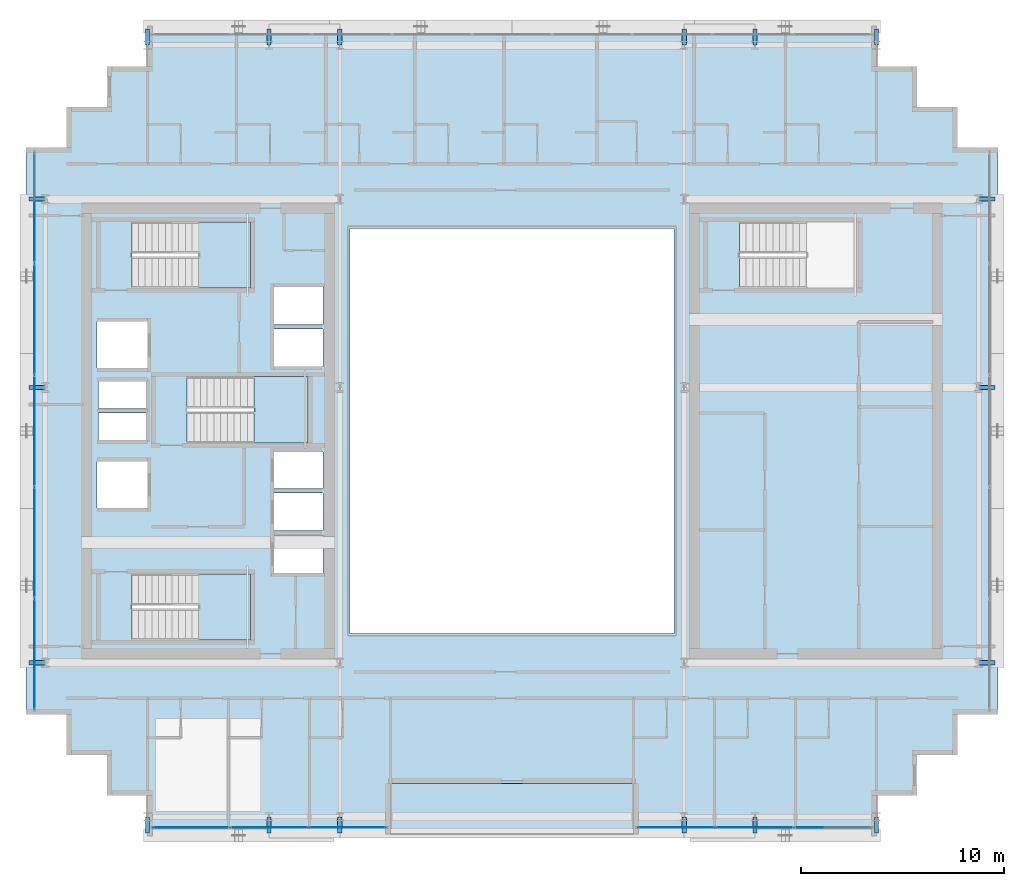
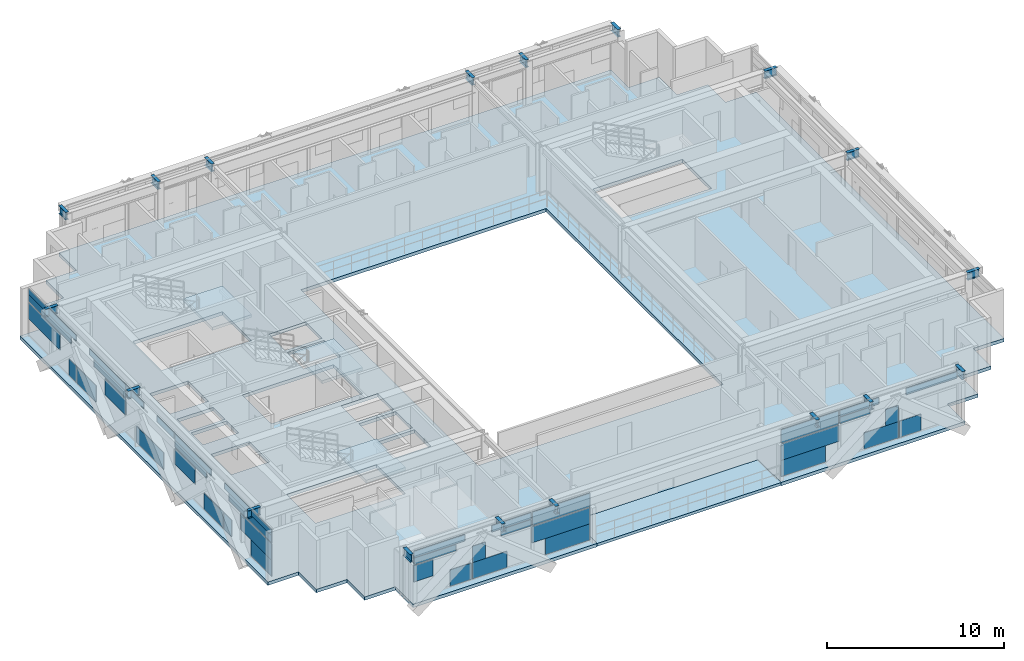
# One storey, part 20 of 32: 40 plates, 18 beams, 5 slabs, 6 elements without a shape of their own.
"""IFC4 building model written with IfcOpenShell, lengths in metres."""

from ifc_helpers import new_model, si_unit, direction, frame, origin, origin_2d, place, context, subcontext, project, spatial, polyline, rectangle, i_section, outline, extrude, source, transform, mapped, material, layer, layer_set, material_profile, profile_set, type_object, element, aggregate, save


model = new_model("IFC4")

# Units and contexts
model_context = context("Model", 3, precision=1e-05, world=origin(), true_north=direction((0.0, 1.0)))
body_context = subcontext(model_context, "Body", "Model", "MODEL_VIEW")
ifc_project = project(units=[si_unit("LENGTHUNIT", "METRE"), si_unit("AREAUNIT", "SQUARE_METRE"), si_unit("VOLUMEUNIT", "CUBIC_METRE"), si_unit("PLANEANGLEUNIT", "RADIAN"), si_unit("MASSUNIT", "GRAM", prefix="KILO")], contexts=[model_context])

# Site, building, storey
site_placement = place(None, origin())
site = spatial("IfcSite", under=ifc_project, at=site_placement, CompositionType="ELEMENT")
building_placement = place(site_placement, origin())
building = spatial("IfcBuilding", under=site, at=building_placement, Name="Ocotamira Hotel", CompositionType="ELEMENT")
storey_placement = place(building_placement, frame((0.0, 0.0, 166.800048828125)))
storey = spatial("IfcBuildingStorey", under=building, at=storey_placement, Name="L41", CompositionType="ELEMENT", Elevation=166.800048828125)

# Beams
ifc_material_1 = material(Name="Steel ASTM A992 Grade 50", Category="steel")
ifc_material_profile = material_profile(ifc_material_1, i_section(OverallWidth=0.2099609375, OverallDepth=0.537109375, WebThickness=0.010986328125, FlangeThickness=0.017333984375, FilletRadius=0.012939453125, at=origin_2d()), Name="W21X68")
ifc_profile_set = profile_set([ifc_material_profile], Name="Steel ASTM A992 Grade 50")
beam_type = type_object("IfcBeamType", Name="BM-SEC-W21X68", PredefinedType="JOIST", material=ifc_profile_set)
shared_shape_1 = source(origin(), body_context, "Body", "SweptSolid", [
    extrude(i_section(OverallWidth=0.2099609375, OverallDepth=0.537109375, WebThickness=0.010986328125, FlangeThickness=0.017333984375, FilletRadius=0.012939453125, at=origin_2d()), origin(), (0.0, 0.0, 1.0), 0.800048828125),
])
for number, where, z_axis, x_axis, name in (
    (1, (14.0, 6.949951171875, 3.1015625), (0.0, -1.0, 0.0), (1.0, 0.0, 0.0), "L41 South Edge Header X14"),
    (2, (14.0, 45.050048828125, 3.1015625), (0.0, 1.0, 0.0), (-1.0, 0.0, 0.0), "L41 North Edge Header X14"),
    (3, (20.0, 6.949951171875, 3.1015625), (0.0, -1.0, 0.0), (1.0, 0.0, 0.0), "L41 South Edge Header X20"),
    (4, (20.0, 45.050048828125, 3.1015625), (0.0, 1.0, 0.0), (-1.0, 0.0, 0.0), "L41 North Edge Header X20"),
    (5, (23.5, 6.949951171875, 3.1015625), (0.0, -1.0, 0.0), (1.0, 0.0, 0.0), "L41 South Edge Header X23.5"),
    (6, (23.5, 45.050048828125, 3.1015625), (0.0, 1.0, 0.0), (-1.0, 0.0, 0.0), "L41 North Edge Header X23.5"),
    (7, (40.5, 6.949951171875, 3.1015625), (0.0, -1.0, 0.0), (1.0, 0.0, 0.0), "L41 South Edge Header X40.5"),
    (8, (40.5, 45.050048828125, 3.1015625), (0.0, 1.0, 0.0), (-1.0, 0.0, 0.0), "L41 North Edge Header X40.5"),
    (9, (44.0, 6.949951171875, 3.1015625), (0.0, -1.0, 0.0), (1.0, 0.0, 0.0), "L41 South Edge Header X44"),
    (10, (44.0, 45.050048828125, 3.1015625), (0.0, 1.0, 0.0), (-1.0, 0.0, 0.0), "L41 North Edge Header X44"),
    (11, (50.0, 6.949951171875, 3.1015625), (0.0, -1.0, 0.0), (1.0, 0.0, 0.0), "L41 South Edge Header X50"),
    (12, (50.0, 45.050048828125, 3.1015625), (0.0, 1.0, 0.0), (-1.0, 0.0, 0.0), "L41 North Edge Header X50"),
    (13, (8.949951171875, 14.550048828125, 3.1015625), (-1.0, 0.0, 0.0), (0.0, -1.0, 0.0), "L41 West Edge Header Y14.55"),
    (14, (55.050048828125, 14.550048828125, 3.1015625), (1.0, 0.0, 0.0), (0.0, 1.0, 0.0), "L41 East Edge Header Y14.55"),
    (15, (8.949951171875, 28.14990234375, 3.1015625), (-1.0, 0.0, 0.0), (0.0, -1.0, 0.0), "L41 West Edge Header Y28.15"),
    (16, (55.050048828125, 28.14990234375, 3.1015625), (1.0, 0.0, 0.0), (0.0, 1.0, 0.0), "L41 East Edge Header Y28.15"),
    (17, (8.949951171875, 37.449951171875, 3.1015625), (-1.0, 0.0, 0.0), (0.0, -1.0, 0.0), "L41 West Edge Header Y37.45"),
    (18, (55.050048828125, 37.449951171875, 3.1015625), (1.0, 0.0, 0.0), (0.0, 1.0, 0.0), "L41 East Edge Header Y37.45"),
):
    element("IfcBeam", number, at=place(storey_placement, frame(where, z_axis=z_axis, x_axis=x_axis)), inside=storey, type_object=beam_type, Name=name, PredefinedType="JOIST", context=body_context, shape_type="MappedRepresentation", body=[
        mapped(shared_shape_1, transform((0.0, 0.0, 0.0), scale=1.0)),
    ])

# Slab
ifc_material_2 = material(Name="Concrete C40/50", Category="concrete")
ifc_layer_1 = layer(ifc_material_2, 0.199951171875)
ifc_layer_set_1 = layer_set([ifc_layer_1], Name="Concrete C40/50")
slab_type_1 = type_object("IfcSlabType", Name="SLB-BAL-200", PredefinedType="FLOOR", material=ifc_layer_set_1)
slab_1_placement = place(storey_placement, frame((0.0, 0.0, -0.199951171875)))
element("IfcSlab", 19, at=slab_1_placement, inside=storey, type_object=slab_type_1, Name="L41 Outdoor Sky Terrace Slab 1", PredefinedType="FLOOR", context=body_context, shape_type="SweptSolid", body=[
    extrude(outline(polyline([(26.0, 6.0), (38.0, 6.0), (38.0, 8.60009765625), (26.0, 8.60009765625), (26.0, 6.0)])), origin(), (0.0, 0.0, 1.0), 0.199951171875),
])

# Stair, slab
stair_type = type_object("IfcStairType", Name="ST-CORE-1560", PredefinedType="HALF_TURN_STAIR", material=ifc_material_2)
stair_1_placement = place(storey_placement, origin())
stair_1 = element("IfcStair", 20, at=stair_1_placement, inside=storey, type_object=stair_type, Name="L41 Exit Stair ST-1", PredefinedType="HALF_TURN_STAIR")
ifc_layer_2 = layer(ifc_material_2, 0.199951171875)
ifc_layer_set_2 = layer_set([ifc_layer_2], Name="Concrete C40/50")
slab_type_2 = type_object("IfcSlabType", Name="SLB-LAND-200", PredefinedType="LANDING", material=ifc_layer_set_2)
slab_2_placement = place(storey_placement, frame((0.0, 0.0, 1.599853515625)))
slab_2 = element("IfcSlab", 21, at=slab_2_placement, type_object=slab_type_2, Name="ST-1 landing 1", PredefinedType="LANDING", context=body_context, shape_type="SweptSolid", body=[
    extrude(outline(polyline([(16.530029296875, 15.669921875), (19.090087890625, 15.669921875), (19.090087890625, 18.949951171875), (16.530029296875, 18.949951171875), (16.530029296875, 15.669921875)])), origin(), (0.0, 0.0, 1.0), 0.2001953125),
])
aggregate(stair_1, [slab_2])

stair_2_placement = place(storey_placement, origin())
stair_2 = element("IfcStair", 22, at=stair_2_placement, inside=storey, type_object=stair_type, Name="L41 Exit Stair ST-2", PredefinedType="HALF_TURN_STAIR")
slab_3_placement = place(storey_placement, frame((0.0, 0.0, 1.599853515625)))
slab_3 = element("IfcSlab", 23, at=slab_3_placement, type_object=slab_type_2, Name="ST-2 landing 1", PredefinedType="LANDING", context=body_context, shape_type="SweptSolid", body=[
    extrude(outline(polyline([(16.530029296875, 33.050048828125), (19.090087890625, 33.050048828125), (19.090087890625, 36.330078125), (16.530029296875, 36.330078125), (16.530029296875, 33.050048828125)])), origin(), (0.0, 0.0, 1.0), 0.2001953125),
])
aggregate(stair_2, [slab_3])

stair_3_placement = place(storey_placement, origin())
stair_3 = element("IfcStair", 24, at=stair_3_placement, inside=storey, type_object=stair_type, Name="L41 Exit Stair ST-3", PredefinedType="HALF_TURN_STAIR")
slab_4_placement = place(storey_placement, frame((0.0, 0.0, 1.599853515625)))
slab_4 = element("IfcSlab", 25, at=slab_4_placement, type_object=slab_type_2, Name="ST-3 landing 1", PredefinedType="LANDING", context=body_context, shape_type="SweptSolid", body=[
    extrude(outline(polyline([(19.260009765625, 25.39990234375), (21.919921875, 25.39990234375), (21.919921875, 28.679931640625), (19.260009765625, 28.679931640625), (19.260009765625, 25.39990234375)])), origin(), (0.0, 0.0, 1.0), 0.2001953125),
])
aggregate(stair_3, [slab_4])

# Slab
ifc_layer_3 = layer(ifc_material_2, 0.22998046875)
ifc_layer_set_3 = layer_set([ifc_layer_3], Name="Concrete C40/50")
slab_type_3 = type_object("IfcSlabType", Name="SLB-Z3-230", PredefinedType="FLOOR", material=ifc_layer_set_3)
slab_5_placement = place(storey_placement, frame((0.0, 0.0, -0.22998046875)))
element("IfcSlab", 26, at=slab_5_placement, inside=storey, type_object=slab_type_3, Name="L41 Structural Floor Slab", PredefinedType="FLOOR", context=body_context, shape_type="SweptSolid", body=[
    extrude(outline(polyline([(14.0, 6.0), (14.0, 8.0), (12.0, 8.0), (12.0, 10.0), (10.0, 10.0), (10.0, 12.0), (8.0, 12.0), (8.0, 40.0), (10.0, 40.0), (10.0, 42.0), (12.0, 42.0), (12.0, 44.0), (14.0, 44.0), (14.0, 46.0), (50.0, 46.0), (50.0, 44.0), (52.0, 44.0), (52.0, 42.0), (54.0, 42.0), (54.0, 40.0), (56.0, 40.0), (56.0, 12.0), (54.0, 12.0), (54.0, 10.0), (52.0, 10.0), (52.0, 8.0), (50.0, 8.0), (50.0, 6.0), (38.0, 6.0), (38.0, 8.60009765625), (26.0, 8.60009765625), (26.0, 6.0), (14.0, 6.0)]), holes=[polyline([(24.0, 16.0), (40.0, 16.0), (40.0, 36.0), (24.0, 36.0), (24.0, 16.0)]), polyline([(13.22998046875, 15.669921875), (19.090087890625, 15.669921875), (19.090087890625, 18.949951171875), (13.22998046875, 18.949951171875), (13.22998046875, 15.669921875)]), polyline([(13.22998046875, 33.050048828125), (19.090087890625, 33.050048828125), (19.090087890625, 36.330078125), (13.22998046875, 36.330078125), (13.22998046875, 33.050048828125)]), polyline([(15.9599609375, 25.39990234375), (21.919921875, 25.39990234375), (21.919921875, 28.679931640625), (15.9599609375, 28.679931640625), (15.9599609375, 25.39990234375)]), polyline([(43.22998046875, 33.050048828125), (49.090087890625, 33.050048828125), (49.090087890625, 36.330078125), (43.22998046875, 36.330078125), (43.22998046875, 33.050048828125)]), polyline([(20.25, 19.0), (22.659912109375, 19.0), (22.659912109375, 20.85009765625), (20.25, 20.85009765625), (20.25, 19.0)]), polyline([(20.25, 21.080078125), (22.659912109375, 21.080078125), (22.659912109375, 22.929931640625), (20.25, 22.929931640625), (20.25, 21.080078125)]), polyline([(20.25, 23.159912109375), (22.659912109375, 23.159912109375), (22.659912109375, 24.9599609375), (20.25, 24.9599609375), (20.25, 23.159912109375)]), polyline([(20.25, 29.179931640625), (22.659912109375, 29.179931640625), (22.659912109375, 31.030029296875), (20.25, 31.030029296875), (20.25, 29.179931640625)]), polyline([(20.25, 31.260009765625), (22.659912109375, 31.260009765625), (22.659912109375, 33.110107421875), (20.25, 33.110107421875), (20.25, 31.260009765625)]), polyline([(11.5, 22.199951171875), (14.0, 22.199951171875), (14.0, 24.5), (11.5, 24.5), (11.5, 22.199951171875)]), polyline([(11.5, 29.10009765625), (14.0, 29.10009765625), (14.0, 31.39990234375), (11.5, 31.39990234375), (11.5, 29.10009765625)]), polyline([(11.580078125, 25.550048828125), (13.919921875, 25.550048828125), (13.919921875, 26.89990234375), (11.580078125, 26.89990234375), (11.580078125, 25.550048828125)]), polyline([(11.580078125, 27.10009765625), (13.919921875, 27.10009765625), (13.919921875, 28.449951171875), (11.580078125, 28.449951171875), (11.580078125, 27.10009765625)])]), origin(), (0.0, 0.0, 1.0), 0.22998046875),
])

# Curtain wall, plates
ifc_material_3 = material(Name="Anodised pale-metal aluminium and solar glass", Category="aluminium")
ifc_layer_4 = layer(ifc_material_3, 0.199951171875)
ifc_layer_set_4 = layer_set([ifc_layer_4], Name="Anodised pale-metal aluminium and solar glass")
curtain_wall_type = type_object("IfcCurtainWallType", Name="CW-SYS4-Z3", PredefinedType="NOTDEFINED", material=ifc_layer_set_4)
curtain_wall_1_placement = place(storey_placement, origin())
curtain_wall_1 = element("IfcCurtainWall", 27, at=curtain_wall_1_placement, inside=storey, type_object=curtain_wall_type, Name="L41 Curtain Wall CW-4 CW-L41-S1", PredefinedType="NOTDEFINED")
ifc_material_4 = material(Name="Double-silver low-E insulated solar glass", Category="glass")
ifc_layer_5 = layer(ifc_material_4, 0.031982421875)
ifc_layer_set_5 = layer_set([ifc_layer_5], Name="Double-silver low-E insulated solar glass")
plate_type = type_object("IfcPlateType", Name="CWP-VISION-32", PredefinedType="CURTAIN_PANEL", material=ifc_layer_set_5)
shared_shape_2 = source(origin(), body_context, "Body", "SweptSolid", [
    extrude(rectangle(XDim=1.251953125, YDim=0.031982421875, at=origin_2d()), origin(), (0.0, 0.0, 1.0), 1.118896484375),
])
plate_1_placement = place(storey_placement, frame((14.906005859375, 6.419921875, 1.193359375), z_axis=(0.0, 0.0, 1.0), x_axis=(1.0, 0.0, 0.0)))
plate_1 = element("IfcPlate", 28, at=plate_1_placement, type_object=plate_type, Name="CW-4 panel 1.1.1", PredefinedType="CURTAIN_PANEL", context=body_context, shape_type="MappedRepresentation", body=[
    mapped(shared_shape_2, transform((0.0, 0.0, 0.0), scale=1.0)),
])
shared_shape_3 = source(origin(), body_context, "Body", "SweptSolid", [
    extrude(rectangle(XDim=1.390869140625, YDim=0.031982421875, at=origin_2d()), origin(), (0.0, 0.0, 1.0), 1.118896484375),
])
plate_2_placement = place(storey_placement, frame((17.347900390625, 6.419921875, 0.07470703125), z_axis=(0.0, 0.0, 1.0), x_axis=(1.0, 0.0, 0.0)))
plate_2 = element("IfcPlate", 29, at=plate_2_placement, type_object=plate_type, Name="CW-4 panel 1.1.2", PredefinedType="CURTAIN_PANEL", context=body_context, shape_type="MappedRepresentation", body=[
    mapped(shared_shape_3, transform((0.0, 0.0, 0.0), scale=1.0)),
])

# Curtain wall, plate
curtain_wall_2_placement = place(storey_placement, origin())
curtain_wall_2 = element("IfcCurtainWall", 30, at=curtain_wall_2_placement, inside=storey, type_object=curtain_wall_type, Name="L41 Curtain Wall CW-4 CW-L41-S2", PredefinedType="NOTDEFINED")
plate_3_placement = place(storey_placement, frame((46.652099609375, 6.419921875, 0.07470703125), z_axis=(0.0, 0.0, 1.0), x_axis=(1.0, 0.0, 0.0)))
plate_3 = element("IfcPlate", 31, at=plate_3_placement, type_object=plate_type, Name="CW-4 panel 3.1.1", PredefinedType="CURTAIN_PANEL", context=body_context, shape_type="MappedRepresentation", body=[
    mapped(shared_shape_3, transform((0.0, 0.0, 0.0), scale=1.0)),
])

# Plate
shared_shape_4 = source(origin(), body_context, "Body", "SweptSolid", [
    extrude(rectangle(XDim=2.744140625, YDim=0.031982421875, at=origin_2d()), origin(), (0.0, 0.0, 1.0), 0.443603515625),
])
plate_4_placement = place(storey_placement, frame((15.652099609375, 6.419921875, 2.38720703125), z_axis=(0.0, 0.0, 1.0), x_axis=(1.0, 0.0, 0.0)))
plate_4 = element("IfcPlate", 32, at=plate_4_placement, type_object=plate_type, Name="CW-4 panel 1.2.1", PredefinedType="CURTAIN_PANEL", context=body_context, shape_type="MappedRepresentation", body=[
    mapped(shared_shape_4, transform((0.0, 0.0, 0.0), scale=1.0)),
])

shared_shape_5 = source(origin(), body_context, "Body", "SweptSolid", [
    extrude(rectangle(XDim=3.337646484375, YDim=0.031982421875, at=origin_2d()), origin(), (0.0, 0.0, 1.0), 0.4326171875),
])
plate_5_placement = place(storey_placement, frame((15.94873046875, 6.419921875, 2.8623046875), z_axis=(0.0, 0.0, 1.0), x_axis=(1.0, 0.0, 0.0)))
plate_5 = element("IfcPlate", 33, at=plate_5_placement, type_object=plate_type, Name="CW-4 panel 1.2.2", PredefinedType="CURTAIN_PANEL", context=body_context, shape_type="MappedRepresentation", body=[
    mapped(shared_shape_5, transform((0.0, 0.0, 0.0), scale=1.0)),
])

plate_6_placement = place(storey_placement, frame((48.05126953125, 6.419921875, 2.8623046875), z_axis=(0.0, 0.0, 1.0), x_axis=(1.0, 0.0, 0.0)))
plate_6 = element("IfcPlate", 34, at=plate_6_placement, type_object=plate_type, Name="CW-4 panel 3.2.1", PredefinedType="CURTAIN_PANEL", context=body_context, shape_type="MappedRepresentation", body=[
    mapped(shared_shape_5, transform((0.0, 0.0, 0.0), scale=1.0)),
])

shared_shape_6 = source(origin(), body_context, "Body", "SweptSolid", [
    extrude(rectangle(XDim=2.22412109375, YDim=0.031982421875, at=origin_2d()), origin(), (0.0, 0.0, 1.0), 1.118896484375),
])
plate_7_placement = place(storey_placement, frame((19.2353515625, 6.419921875, 0.07470703125), z_axis=(0.0, 0.0, 1.0), x_axis=(1.0, 0.0, 0.0)))
plate_7 = element("IfcPlate", 35, at=plate_7_placement, type_object=plate_type, Name="CW-4 panel 2.1.1", PredefinedType="CURTAIN_PANEL", context=body_context, shape_type="MappedRepresentation", body=[
    mapped(shared_shape_6, transform((0.0, 0.0, 0.0), scale=1.0)),
])

plate_8_placement = place(storey_placement, frame((44.7646484375, 6.419921875, 0.07470703125), z_axis=(0.0, 0.0, 1.0), x_axis=(1.0, 0.0, 0.0)))
plate_8 = element("IfcPlate", 36, at=plate_8_placement, type_object=plate_type, Name="CW-4 panel 2.1.1", PredefinedType="CURTAIN_PANEL", context=body_context, shape_type="MappedRepresentation", body=[
    mapped(shared_shape_6, transform((0.0, 0.0, 0.0), scale=1.0)),
])

shared_shape_7 = source(origin(), body_context, "Body", "SweptSolid", [
    extrude(rectangle(XDim=0.82568359375, YDim=0.031982421875, at=origin_2d()), origin(), (0.0, 0.0, 1.0), 1.118896484375),
])
plate_9_placement = place(storey_placement, frame((18.5361328125, 6.419921875, 1.193359375), z_axis=(0.0, 0.0, 1.0), x_axis=(1.0, 0.0, 0.0)))
plate_9 = element("IfcPlate", 37, at=plate_9_placement, type_object=plate_type, Name="CW-4 panel 2.1.2", PredefinedType="CURTAIN_PANEL", context=body_context, shape_type="MappedRepresentation", body=[
    mapped(shared_shape_7, transform((0.0, 0.0, 0.0), scale=1.0)),
])

plate_10_placement = place(storey_placement, frame((45.4638671875, 6.419921875, 1.193359375), z_axis=(0.0, 0.0, 1.0), x_axis=(1.0, 0.0, 0.0)))
plate_10 = element("IfcPlate", 38, at=plate_10_placement, type_object=plate_type, Name="CW-4 panel 2.1.2", PredefinedType="CURTAIN_PANEL", context=body_context, shape_type="MappedRepresentation", body=[
    mapped(shared_shape_7, transform((0.0, 0.0, 0.0), scale=1.0)),
])

shared_shape_8 = source(origin(), body_context, "Body", "SweptSolid", [
    extrude(rectangle(XDim=2.544189453125, YDim=0.031982421875, at=origin_2d()), origin(), (0.0, 0.0, 1.0), 0.4326171875),
])
plate_11_placement = place(storey_placement, frame((20.654541015625, 6.419921875, 2.8623046875), z_axis=(0.0, 0.0, 1.0), x_axis=(1.0, 0.0, 0.0)))
plate_11 = element("IfcPlate", 39, at=plate_11_placement, type_object=plate_type, Name="CW-4 panel 2.2.1", PredefinedType="CURTAIN_PANEL", context=body_context, shape_type="MappedRepresentation", body=[
    mapped(shared_shape_8, transform((0.0, 0.0, 0.0), scale=1.0)),
])

plate_12_placement = place(storey_placement, frame((43.345458984375, 6.419921875, 2.8623046875), z_axis=(0.0, 0.0, 1.0), x_axis=(1.0, 0.0, 0.0)))
plate_12 = element("IfcPlate", 40, at=plate_12_placement, type_object=plate_type, Name="CW-4 panel 2.2.2", PredefinedType="CURTAIN_PANEL", context=body_context, shape_type="MappedRepresentation", body=[
    mapped(shared_shape_8, transform((0.0, 0.0, 0.0), scale=1.0)),
])

shared_shape_9 = source(origin(), body_context, "Body", "SweptSolid", [
    extrude(rectangle(XDim=1.95068359375, YDim=0.031982421875, at=origin_2d()), origin(), (0.0, 0.0, 1.0), 0.443603515625),
])
plate_13_placement = place(storey_placement, frame((20.951416015625, 6.419921875, 2.38720703125), z_axis=(0.0, 0.0, 1.0), x_axis=(1.0, 0.0, 0.0)))
plate_13 = element("IfcPlate", 41, at=plate_13_placement, type_object=plate_type, Name="CW-4 panel 2.2.2", PredefinedType="CURTAIN_PANEL", context=body_context, shape_type="MappedRepresentation", body=[
    mapped(shared_shape_9, transform((0.0, 0.0, 0.0), scale=1.0)),
])

plate_14_placement = place(storey_placement, frame((43.048583984375, 6.419921875, 2.38720703125), z_axis=(0.0, 0.0, 1.0), x_axis=(1.0, 0.0, 0.0)))
plate_14 = element("IfcPlate", 42, at=plate_14_placement, type_object=plate_type, Name="CW-4 panel 2.2.1", PredefinedType="CURTAIN_PANEL", context=body_context, shape_type="MappedRepresentation", body=[
    mapped(shared_shape_9, transform((0.0, 0.0, 0.0), scale=1.0)),
])

shared_shape_10 = source(origin(), body_context, "Body", "SweptSolid", [
    extrude(rectangle(XDim=3.76318359375, YDim=0.031982421875, at=origin_2d()), origin(), (0.0, 0.0, 1.0), 1.118896484375),
])
plate_15_placement = place(storey_placement, frame((23.88818359375, 6.419921875, 1.193359375), z_axis=(0.0, 0.0, 1.0), x_axis=(1.0, 0.0, 0.0)))
plate_15 = element("IfcPlate", 43, at=plate_15_placement, type_object=plate_type, Name="CW-4 panel 3.1.1", PredefinedType="CURTAIN_PANEL", context=body_context, shape_type="MappedRepresentation", body=[
    mapped(shared_shape_10, transform((0.0, 0.0, 0.0), scale=1.0)),
])

plate_16_placement = place(storey_placement, frame((40.11181640625, 6.419921875, 1.193359375), z_axis=(0.0, 0.0, 1.0), x_axis=(1.0, 0.0, 0.0)))
plate_16 = element("IfcPlate", 44, at=plate_16_placement, type_object=plate_type, Name="CW-4 panel 1.1.2", PredefinedType="CURTAIN_PANEL", context=body_context, shape_type="MappedRepresentation", body=[
    mapped(shared_shape_10, transform((0.0, 0.0, 0.0), scale=1.0)),
])

shared_shape_11 = source(origin(), body_context, "Body", "SweptSolid", [
    extrude(rectangle(XDim=2.903564453125, YDim=0.031982421875, at=origin_2d()), origin(), (0.0, 0.0, 1.0), 1.118896484375),
])
plate_17_placement = place(storey_placement, frame((24.318359375, 6.419921875, 0.07470703125), z_axis=(0.0, 0.0, 1.0), x_axis=(1.0, 0.0, 0.0)))
plate_17 = element("IfcPlate", 45, at=plate_17_placement, type_object=plate_type, Name="CW-4 panel 3.1.2", PredefinedType="CURTAIN_PANEL", context=body_context, shape_type="MappedRepresentation", body=[
    mapped(shared_shape_11, transform((0.0, 0.0, 0.0), scale=1.0)),
])

plate_18_placement = place(storey_placement, frame((39.681640625, 6.419921875, 0.07470703125), z_axis=(0.0, 0.0, 1.0), x_axis=(1.0, 0.0, 0.0)))
plate_18 = element("IfcPlate", 46, at=plate_18_placement, type_object=plate_type, Name="CW-4 panel 1.1.1", PredefinedType="CURTAIN_PANEL", context=body_context, shape_type="MappedRepresentation", body=[
    mapped(shared_shape_11, transform((0.0, 0.0, 0.0), scale=1.0)),
])

shared_shape_12 = source(origin(), body_context, "Body", "SweptSolid", [
    extrude(rectangle(XDim=3.763427734375, YDim=0.031982421875, at=origin_2d()), origin(), (0.0, 0.0, 1.0), 0.907470703125),
])
plate_19_placement = place(storey_placement, frame((23.888427734375, 6.419921875, 2.3876953125), z_axis=(0.0, 0.0, 1.0), x_axis=(1.0, 0.0, 0.0)))
plate_19 = element("IfcPlate", 47, at=plate_19_placement, type_object=plate_type, Name="CW-4 panel 3.2", PredefinedType="CURTAIN_PANEL", context=body_context, shape_type="MappedRepresentation", body=[
    mapped(shared_shape_12, transform((0.0, 0.0, 0.0), scale=1.0)),
])

aggregate(curtain_wall_1, [plate_1, plate_2, plate_4, plate_5, plate_7, plate_9, plate_11, plate_13, plate_15, plate_17, plate_19])

plate_20_placement = place(storey_placement, frame((40.111572265625, 6.419921875, 2.3876953125), z_axis=(0.0, 0.0, 1.0), x_axis=(1.0, 0.0, 0.0)))
plate_20 = element("IfcPlate", 48, at=plate_20_placement, type_object=plate_type, Name="CW-4 panel 1.2", PredefinedType="CURTAIN_PANEL", context=body_context, shape_type="MappedRepresentation", body=[
    mapped(shared_shape_12, transform((0.0, 0.0, 0.0), scale=1.0)),
])

aggregate(curtain_wall_2, [plate_18, plate_16, plate_20, plate_8, plate_10, plate_14, plate_12, plate_3, plate_6])

# Curtain wall, plates
curtain_wall_3_placement = place(storey_placement, origin())
curtain_wall_3 = element("IfcCurtainWall", 49, at=curtain_wall_3_placement, inside=storey, type_object=curtain_wall_type, Name="L41 Curtain Wall CW-4 CW-L41-W", PredefinedType="NOTDEFINED")
shared_shape_13 = source(origin(), body_context, "Body", "SweptSolid", [
    extrude(rectangle(XDim=2.348388671875, YDim=0.031982421875, at=origin_2d()), origin(), (0.0, 0.0, 1.0), 1.118896484375),
])
plate_21_placement = place(storey_placement, frame((8.419921875, 13.4541015625, 0.07470703125), z_axis=(0.0, 0.0, 1.0), x_axis=(0.0, 1.0, 0.0)))
plate_21 = element("IfcPlate", 50, at=plate_21_placement, type_object=plate_type, Name="CW-4 panel 1.1.1", PredefinedType="CURTAIN_PANEL", context=body_context, shape_type="MappedRepresentation", body=[
    mapped(shared_shape_13, transform((0.0, 0.0, 0.0), scale=1.0)),
])
shared_shape_14 = source(origin(), body_context, "Body", "SweptSolid", [
    extrude(rectangle(XDim=3.534423828125, YDim=0.031982421875, at=origin_2d()), origin(), (0.0, 0.0, 1.0), 1.118896484375),
])
plate_22_placement = place(storey_placement, frame((8.419921875, 14.047119140625, 1.193359375), z_axis=(0.0, 0.0, 1.0), x_axis=(0.0, 1.0, 0.0)))
plate_22 = element("IfcPlate", 51, at=plate_22_placement, type_object=plate_type, Name="CW-4 panel 1.1.2", PredefinedType="CURTAIN_PANEL", context=body_context, shape_type="MappedRepresentation", body=[
    mapped(shared_shape_14, transform((0.0, 0.0, 0.0), scale=1.0)),
])
plate_23_placement = place(storey_placement, frame((8.419921875, 37.952880859375, 1.193359375), z_axis=(0.0, 0.0, 1.0), x_axis=(0.0, 1.0, 0.0)))
plate_23 = element("IfcPlate", 52, at=plate_23_placement, type_object=plate_type, Name="CW-4 panel 5.1.2", PredefinedType="CURTAIN_PANEL", context=body_context, shape_type="MappedRepresentation", body=[
    mapped(shared_shape_14, transform((0.0, 0.0, 0.0), scale=1.0)),
])
shared_shape_15 = source(origin(), body_context, "Body", "SweptSolid", [
    extrude(rectangle(XDim=0.845458984375, YDim=0.031982421875, at=origin_2d()), origin(), (0.0, 0.0, 1.0), 1.118896484375),
])
plate_24_placement = place(storey_placement, frame((8.419921875, 17.25732421875, 0.07470703125), z_axis=(0.0, 0.0, 1.0), x_axis=(0.0, 1.0, 0.0)))
plate_24 = element("IfcPlate", 53, at=plate_24_placement, type_object=plate_type, Name="CW-4 panel 1.1.3", PredefinedType="CURTAIN_PANEL", context=body_context, shape_type="MappedRepresentation", body=[
    mapped(shared_shape_15, transform((0.0, 0.0, 0.0), scale=1.0)),
])
plate_25_placement = place(storey_placement, frame((8.419921875, 34.74267578125, 0.07470703125), z_axis=(0.0, 0.0, 1.0), x_axis=(0.0, 1.0, 0.0)))
plate_25 = element("IfcPlate", 54, at=plate_25_placement, type_object=plate_type, Name="CW-4 panel 5.1.1", PredefinedType="CURTAIN_PANEL", context=body_context, shape_type="MappedRepresentation", body=[
    mapped(shared_shape_15, transform((0.0, 0.0, 0.0), scale=1.0)),
])
shared_shape_16 = source(origin(), body_context, "Body", "SweptSolid", [
    extrude(rectangle(XDim=4.7998046875, YDim=0.031982421875, at=origin_2d()), origin(), (0.0, 0.0, 1.0), 0.4951171875),
])
plate_26_placement = place(storey_placement, frame((8.419921875, 14.679931640625, 2.387451171875), z_axis=(0.0, 0.0, 1.0), x_axis=(0.0, 1.0, 0.0)))
plate_26 = element("IfcPlate", 55, at=plate_26_placement, type_object=plate_type, Name="CW-4 panel 1.2.1", PredefinedType="CURTAIN_PANEL", context=body_context, shape_type="MappedRepresentation", body=[
    mapped(shared_shape_16, transform((0.0, 0.0, 0.0), scale=1.0)),
])
plate_27_placement = place(storey_placement, frame((8.419921875, 37.320068359375, 2.387451171875), z_axis=(0.0, 0.0, 1.0), x_axis=(0.0, 1.0, 0.0)))
plate_27 = element("IfcPlate", 56, at=plate_27_placement, type_object=plate_type, Name="CW-4 panel 5.2.2", PredefinedType="CURTAIN_PANEL", context=body_context, shape_type="MappedRepresentation", body=[
    mapped(shared_shape_16, transform((0.0, 0.0, 0.0), scale=1.0)),
])
shared_shape_17 = source(origin(), body_context, "Body", "SweptSolid", [
    extrude(rectangle(XDim=5.32470703125, YDim=0.031982421875, at=origin_2d()), origin(), (0.0, 0.0, 1.0), 0.41259765625),
])
plate_28_placement = place(storey_placement, frame((8.419921875, 14.9423828125, 2.882568359375), z_axis=(0.0, 0.0, 1.0), x_axis=(0.0, 1.0, 0.0)))
plate_28 = element("IfcPlate", 57, at=plate_28_placement, type_object=plate_type, Name="CW-4 panel 1.2.2", PredefinedType="CURTAIN_PANEL", context=body_context, shape_type="MappedRepresentation", body=[
    mapped(shared_shape_17, transform((0.0, 0.0, 0.0), scale=1.0)),
])
plate_29_placement = place(storey_placement, frame((8.419921875, 37.0576171875, 2.882568359375), z_axis=(0.0, 0.0, 1.0), x_axis=(0.0, 1.0, 0.0)))
plate_29 = element("IfcPlate", 58, at=plate_29_placement, type_object=plate_type, Name="CW-4 panel 5.2.1", PredefinedType="CURTAIN_PANEL", context=body_context, shape_type="MappedRepresentation", body=[
    mapped(shared_shape_17, transform((0.0, 0.0, 0.0), scale=1.0)),
])
shared_shape_18 = source(origin(), body_context, "Body", "SweptSolid", [
    extrude(rectangle(XDim=2.138671875, YDim=0.031982421875, at=origin_2d()), origin(), (0.0, 0.0, 1.0), 1.118896484375),
])
plate_30_placement = place(storey_placement, frame((8.419921875, 18.829345703125, 0.07470703125), z_axis=(0.0, 0.0, 1.0), x_axis=(0.0, 1.0, 0.0)))
plate_30 = element("IfcPlate", 59, at=plate_30_placement, type_object=plate_type, Name="CW-4 panel 2.1.1", PredefinedType="CURTAIN_PANEL", context=body_context, shape_type="MappedRepresentation", body=[
    mapped(shared_shape_18, transform((0.0, 0.0, 0.0), scale=1.0)),
])
plate_31_placement = place(storey_placement, frame((8.419921875, 33.170654296875, 0.07470703125), z_axis=(0.0, 0.0, 1.0), x_axis=(0.0, 1.0, 0.0)))
plate_31 = element("IfcPlate", 60, at=plate_31_placement, type_object=plate_type, Name="CW-4 panel 4.1.2", PredefinedType="CURTAIN_PANEL", context=body_context, shape_type="MappedRepresentation", body=[
    mapped(shared_shape_18, transform((0.0, 0.0, 0.0), scale=1.0)),
])
shared_shape_19 = source(origin(), body_context, "Body", "SweptSolid", [
    extrude(rectangle(XDim=2.281005859375, YDim=0.031982421875, at=origin_2d()), origin(), (0.0, 0.0, 1.0), 1.118896484375),
])
plate_32_placement = place(storey_placement, frame((8.419921875, 22.059326171875, 1.193359375), z_axis=(0.0, 0.0, 1.0), x_axis=(0.0, 1.0, 0.0)))
plate_32 = element("IfcPlate", 61, at=plate_32_placement, type_object=plate_type, Name="CW-4 panel 2.1.2", PredefinedType="CURTAIN_PANEL", context=body_context, shape_type="MappedRepresentation", body=[
    mapped(shared_shape_19, transform((0.0, 0.0, 0.0), scale=1.0)),
])
plate_33_placement = place(storey_placement, frame((8.419921875, 29.940673828125, 1.193359375), z_axis=(0.0, 0.0, 1.0), x_axis=(0.0, 1.0, 0.0)))
plate_33 = element("IfcPlate", 62, at=plate_33_placement, type_object=plate_type, Name="CW-4 panel 4.1.1", PredefinedType="CURTAIN_PANEL", context=body_context, shape_type="MappedRepresentation", body=[
    mapped(shared_shape_19, transform((0.0, 0.0, 0.0), scale=1.0)),
])
shared_shape_20 = source(origin(), body_context, "Body", "SweptSolid", [
    extrude(rectangle(XDim=4.071533203125, YDim=0.031982421875, at=origin_2d()), origin(), (0.0, 0.0, 1.0), 0.41259765625),
])
plate_34_placement = place(storey_placement, frame((8.419921875, 21.164306640625, 2.882568359375), z_axis=(0.0, 0.0, 1.0), x_axis=(0.0, 1.0, 0.0)))
plate_34 = element("IfcPlate", 63, at=plate_34_placement, type_object=plate_type, Name="CW-4 panel 2.2.1", PredefinedType="CURTAIN_PANEL", context=body_context, shape_type="MappedRepresentation", body=[
    mapped(shared_shape_20, transform((0.0, 0.0, 0.0), scale=1.0)),
])
plate_35_placement = place(storey_placement, frame((8.419921875, 30.835693359375, 2.882568359375), z_axis=(0.0, 0.0, 1.0), x_axis=(0.0, 1.0, 0.0)))
plate_35 = element("IfcPlate", 64, at=plate_35_placement, type_object=plate_type, Name="CW-4 panel 4.2.2", PredefinedType="CURTAIN_PANEL", context=body_context, shape_type="MappedRepresentation", body=[
    mapped(shared_shape_20, transform((0.0, 0.0, 0.0), scale=1.0)),
])
shared_shape_21 = source(origin(), body_context, "Body", "SweptSolid", [
    extrude(rectangle(XDim=3.546630859375, YDim=0.031982421875, at=origin_2d()), origin(), (0.0, 0.0, 1.0), 0.460693359375),
])
plate_36_placement = place(storey_placement, frame((8.419921875, 21.426513671875, 2.3876953125), z_axis=(0.0, 0.0, 1.0), x_axis=(0.0, 1.0, 0.0)))
plate_36 = element("IfcPlate", 65, at=plate_36_placement, type_object=plate_type, Name="CW-4 panel 2.2.2", PredefinedType="CURTAIN_PANEL", context=body_context, shape_type="MappedRepresentation", body=[
    mapped(shared_shape_21, transform((0.0, 0.0, 0.0), scale=1.0)),
])
plate_37_placement = place(storey_placement, frame((8.419921875, 30.573486328125, 2.3876953125), z_axis=(0.0, 0.0, 1.0), x_axis=(0.0, 1.0, 0.0)))
plate_37 = element("IfcPlate", 66, at=plate_37_placement, type_object=plate_type, Name="CW-4 panel 4.2.1", PredefinedType="CURTAIN_PANEL", context=body_context, shape_type="MappedRepresentation", body=[
    mapped(shared_shape_21, transform((0.0, 0.0, 0.0), scale=1.0)),
])
shared_shape_22 = source(origin(), body_context, "Body", "SweptSolid", [
    extrude(rectangle(XDim=3.064208984375, YDim=0.031982421875, at=origin_2d()), origin(), (0.0, 0.0, 1.0), 1.118896484375),
])
plate_38_placement = place(storey_placement, frame((8.419921875, 26.0, 0.07470703125), z_axis=(0.0, 0.0, 1.0), x_axis=(0.0, 1.0, 0.0)))
plate_38 = element("IfcPlate", 67, at=plate_38_placement, type_object=plate_type, Name="CW-4 panel 3.1.1", PredefinedType="CURTAIN_PANEL", context=body_context, shape_type="MappedRepresentation", body=[
    mapped(shared_shape_22, transform((0.0, 0.0, 0.0), scale=1.0)),
])
shared_shape_23 = source(origin(), body_context, "Body", "SweptSolid", [
    extrude(rectangle(XDim=1.958251953125, YDim=0.031982421875, at=origin_2d()), origin(), (0.0, 0.0, 1.0), 0.41259765625),
])
plate_39_placement = place(storey_placement, frame((8.419921875, 24.259033203125, 2.882568359375), z_axis=(0.0, 0.0, 1.0), x_axis=(0.0, 1.0, 0.0)))
plate_39 = element("IfcPlate", 68, at=plate_39_placement, type_object=plate_type, Name="CW-4 panel 3.2.1", PredefinedType="CURTAIN_PANEL", context=body_context, shape_type="MappedRepresentation", body=[
    mapped(shared_shape_23, transform((0.0, 0.0, 0.0), scale=1.0)),
])
plate_40_placement = place(storey_placement, frame((8.419921875, 27.740966796875, 2.882568359375), z_axis=(0.0, 0.0, 1.0), x_axis=(0.0, 1.0, 0.0)))
plate_40 = element("IfcPlate", 69, at=plate_40_placement, type_object=plate_type, Name="CW-4 panel 3.2.2", PredefinedType="CURTAIN_PANEL", context=body_context, shape_type="MappedRepresentation", body=[
    mapped(shared_shape_23, transform((0.0, 0.0, 0.0), scale=1.0)),
])
aggregate(curtain_wall_3, [plate_21, plate_22, plate_24, plate_26, plate_28, plate_30, plate_32, plate_34, plate_36, plate_38, plate_39, plate_40, plate_33, plate_31, plate_37, plate_35, plate_25, plate_23, plate_29, plate_27])

save(model, "model.ifc")
